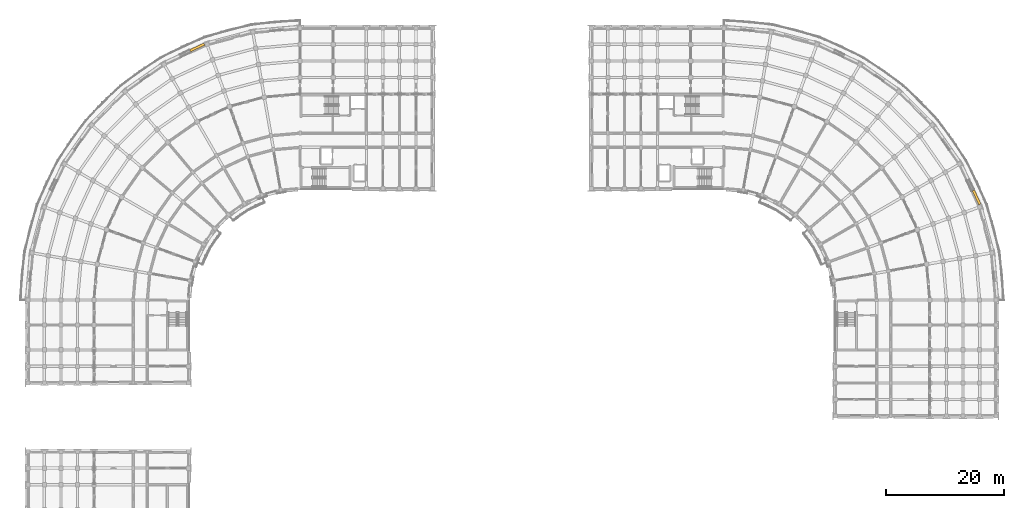
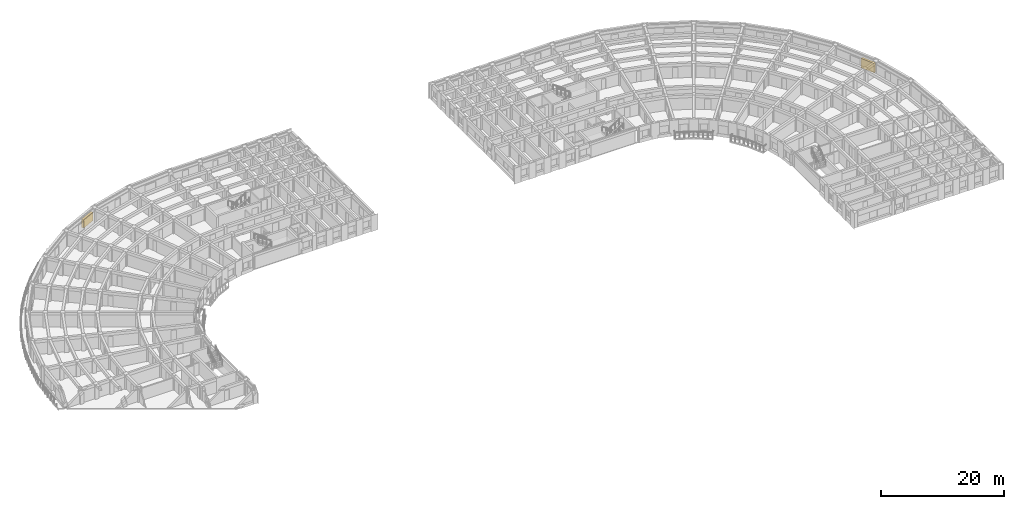
# One storey, part 55 of 57: 2 coverings.
"""IFC4 building model written with IfcOpenShell, lengths in metres."""

from ifc_helpers import new_model, si_unit, direction, frame, origin, place, context, subcontext, project, spatial, polyline, outline, extrude, material, layer, layer_set, type_object, element, save


model = new_model("IFC4")

# Units and contexts
model_context = context("Model", 3, precision=1e-05, world=origin(), true_north=direction((0.0, 1.0)))
body_context = subcontext(model_context, "Body", "Model", "MODEL_VIEW")
ifc_project = project(units=[si_unit("LENGTHUNIT", "METRE"), si_unit("AREAUNIT", "SQUARE_METRE"), si_unit("VOLUMEUNIT", "CUBIC_METRE"), si_unit("PLANEANGLEUNIT", "RADIAN"), si_unit("MASSUNIT", "GRAM", prefix="KILO")], contexts=[model_context])

# Site, building, storey
site_placement = place(None, origin())
site = spatial("IfcSite", under=ifc_project, at=site_placement, CompositionType="ELEMENT")
building_placement = place(site_placement, origin())
building = spatial("IfcBuilding", under=site, at=building_placement, Name="Kiranvali Square Residences", CompositionType="ELEMENT")
storey_placement = place(building_placement, frame((0.0, 0.0, 18.14990234375)))
storey = spatial("IfcBuildingStorey", under=building, at=storey_placement, Name="L05", CompositionType="ELEMENT", Elevation=18.14990234375)

# Coverings
ifc_material = material(Name="Honed Porbandar limestone ashlar facade cladding", Category="masonry")
ifc_layer = layer(ifc_material, 0.3798828125)
ifc_layer_set = layer_set([ifc_layer], Name="Honed Porbandar limestone ashlar facade cladding")
covering_type = type_object("IfcCoveringType", Name="COV-CLAD-JAMB", PredefinedType="CLADDING", material=ifc_layer_set)
covering_1_placement = place(storey_placement, frame((0.0, 0.0, 0.522216796875)))
element("IfcCovering", 1, at=covering_1_placement, inside=storey, type_object=covering_type, Name="L05 deep limestone window jamb reveal A-L05-CRV-02.L", PredefinedType="CLADDING", context=body_context, shape_type="SweptSolid", body=[
    extrude(outline(polyline([(31.931396484375, 131.228515625), (29.521240234375, 130.1044921875), (29.6943359375, 129.7333984375), (32.104248046875, 130.857177734375), (31.931396484375, 131.228515625)])), origin(), (0.0, 0.0, 1.0), 1.64990234375),
])
covering_2_placement = place(storey_placement, frame((0.0, 0.0, 0.322021484375)))
element("IfcCovering", 2, at=covering_2_placement, inside=storey, type_object=covering_type, Name="L05 deep limestone window jamb reveal B-L05-CRV-06.R", PredefinedType="CLADDING", context=body_context, shape_type="SweptSolid", body=[
    extrude(outline(polyline([(161.76513671875, 106.23779296875), (162.857177734375, 103.895751953125), (163.228515625, 104.068603515625), (162.13623046875, 106.410888671875), (161.76513671875, 106.23779296875)])), origin(), (0.0, 0.0, 1.0), 1.85009765625),
])

save(model, "model.ifc")
